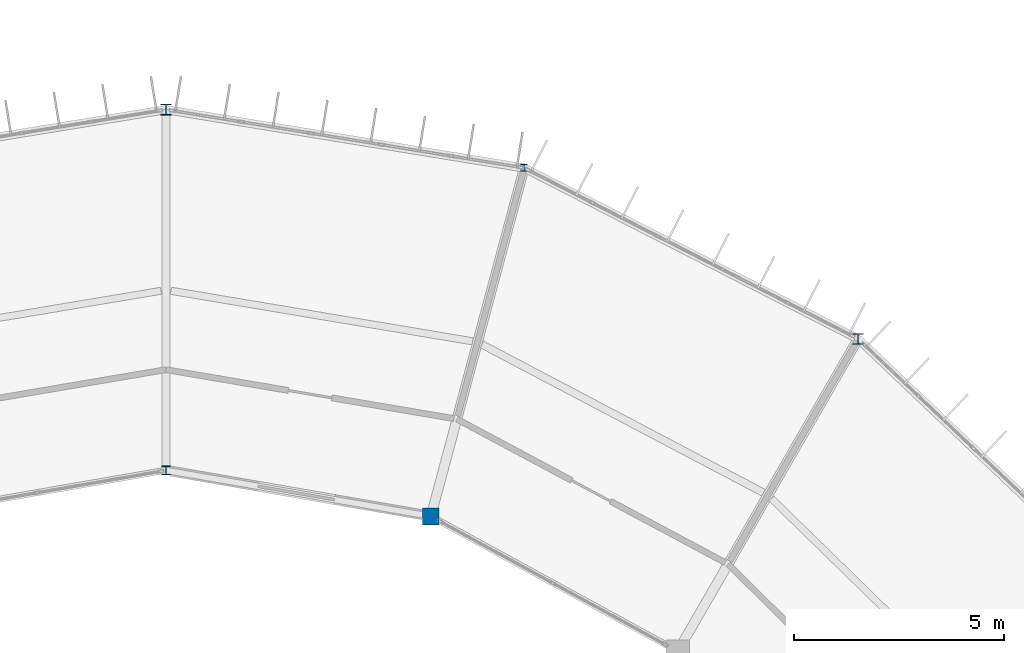
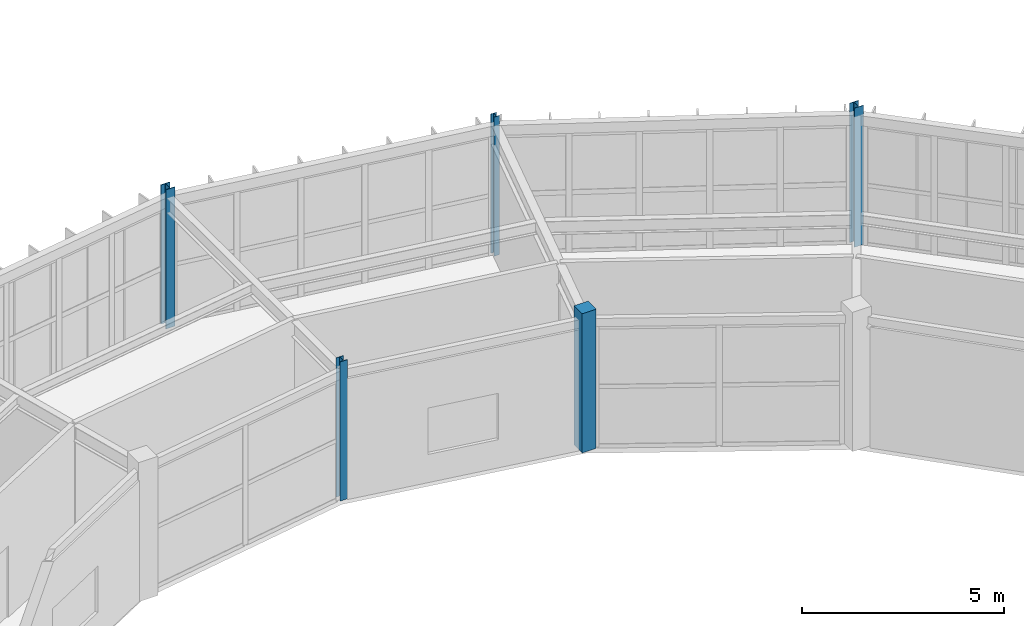
# One storey, part 18 of 157: 5 columns.
"""IFC4 building model written with IfcOpenShell, lengths in metres."""

from ifc_helpers import new_model, si_unit, direction, frame, origin, origin_2d, place, context, subcontext, project, spatial, rectangle, i_section, extrude, material, material_profile, profile_set, type_object, element, save


model = new_model("IFC4")

# Units and contexts
model_context = context("Model", 3, precision=1e-05, world=origin(), true_north=direction((0.0, 1.0)))
body_context = subcontext(model_context, "Body", "Model", "MODEL_VIEW")
ifc_project = project(units=[si_unit("LENGTHUNIT", "METRE"), si_unit("AREAUNIT", "SQUARE_METRE"), si_unit("VOLUMEUNIT", "CUBIC_METRE"), si_unit("PLANEANGLEUNIT", "RADIAN"), si_unit("MASSUNIT", "GRAM", prefix="KILO")], contexts=[model_context])

# Site, building, storey
site_placement = place(None, origin())
site = spatial("IfcSite", under=ifc_project, at=site_placement, CompositionType="ELEMENT")
building_placement = place(site_placement, origin())
building = spatial("IfcBuilding", under=site, at=building_placement, Name="Karori Crest Natural Sciences Institute", CompositionType="ELEMENT")
storey_placement = place(building_placement, frame((0.0, 0.0, 13.300048828125)))
storey = spatial("IfcBuildingStorey", under=building, at=storey_placement, Name="L03", CompositionType="ELEMENT", Elevation=13.300048828125)

# Columns
ifc_material_1 = material(Name="Structural steel AS/NZS 3679.1 Grade 350", Category="steel")
ifc_material_profile_1 = material_profile(ifc_material_1, i_section(OverallWidth=0.256103515625, OverallDepth=0.260009765625, WebThickness=0.010498046875, FlangeThickness=0.017333984375, FilletRadius=0.013916015625, at=origin_2d()), Name="250UC89.5")
ifc_profile_set_1 = profile_set([ifc_material_profile_1], Name="Structural steel AS/NZS 3679.1 Grade 350")
column_type_1 = type_object("IfcColumnType", Name="CT-06", PredefinedType="COLUMN", material=ifc_profile_set_1)
column_1_placement = place(storey_placement, frame((66.39990234375, 90.699951171875, 0.0), z_axis=(0.0, 0.0, 1.0), x_axis=(1.0, 0.0, 0.0)))
element("IfcColumn", 1, at=column_1_placement, inside=storey, type_object=column_type_1, Name="Column C-0117", PredefinedType="COLUMN", context=body_context, shape_type="SweptSolid", body=[
    extrude(i_section(OverallWidth=0.256103515625, OverallDepth=0.260009765625, WebThickness=0.010498046875, FlangeThickness=0.017333984375, FilletRadius=0.013916015625, at=origin_2d()), origin(), (0.0, 0.0, 1.0), 4.199951171875),
])
ifc_material_profile_2 = material_profile(ifc_material_1, i_section(OverallWidth=0.25390625, OverallDepth=0.25390625, WebThickness=0.008544921875, FlangeThickness=0.01416015625, FilletRadius=0.013916015625, at=origin_2d()), Name="250UC72.9")
ifc_profile_set_2 = profile_set([ifc_material_profile_2], Name="Structural steel AS/NZS 3679.1 Grade 350")
column_type_2 = type_object("IfcColumnType", Name="CT-07", PredefinedType="COLUMN", material=ifc_profile_set_2)
column_2_placement = place(storey_placement, frame((82.89990234375, 85.23388671875, 0.0), z_axis=(0.0, 0.0, 1.0), x_axis=(1.0, 0.0, 0.0)))
element("IfcColumn", 2, at=column_2_placement, inside=storey, type_object=column_type_2, Name="Column C-0081", PredefinedType="COLUMN", context=body_context, shape_type="SweptSolid", body=[
    extrude(i_section(OverallWidth=0.25390625, OverallDepth=0.25390625, WebThickness=0.008544921875, FlangeThickness=0.01416015625, FilletRadius=0.013916015625, at=origin_2d()), origin(), (0.0, 0.0, 1.0), 4.199951171875),
])
ifc_material_profile_3 = material_profile(ifc_material_1, i_section(OverallWidth=0.205078125, OverallDepth=0.2099609375, WebThickness=0.00927734375, FlangeThickness=0.01416015625, FilletRadius=0.010986328125, at=origin_2d()), Name="200UC59.5")
ifc_profile_set_3 = profile_set([ifc_material_profile_3], Name="Structural steel AS/NZS 3679.1 Grade 350")
column_type_3 = type_object("IfcColumnType", Name="CT-08", PredefinedType="COLUMN", material=ifc_profile_set_3)
column_3_placement = place(storey_placement, frame((66.39990234375, 82.10009765625, 0.0), z_axis=(0.0, 0.0, 1.0), x_axis=(1.0, 0.0, 0.0)))
element("IfcColumn", 3, at=column_3_placement, inside=storey, type_object=column_type_3, Name="Column C-0118", PredefinedType="COLUMN", context=body_context, shape_type="SweptSolid", body=[
    extrude(i_section(OverallWidth=0.205078125, OverallDepth=0.2099609375, WebThickness=0.00927734375, FlangeThickness=0.01416015625, FilletRadius=0.010986328125, at=origin_2d()), origin(), (0.0, 0.0, 1.0), 4.199951171875),
])
ifc_material_profile_4 = material_profile(ifc_material_1, i_section(OverallWidth=0.154052734375, OverallDepth=0.162109375, WebThickness=0.008056640625, FlangeThickness=0.011474609375, FilletRadius=0.009033203125, at=origin_2d()), Name="150UC37.2")
ifc_profile_set_4 = profile_set([ifc_material_profile_4], Name="Structural steel AS/NZS 3679.1 Grade 350")
column_type_4 = type_object("IfcColumnType", Name="CT-26", PredefinedType="COLUMN", material=ifc_profile_set_4)
column_4_placement = place(storey_placement, frame((74.94091796875, 89.309814453125, 0.0), z_axis=(0.0, 0.0, 1.0), x_axis=(1.0, 0.0, 0.0)))
element("IfcColumn", 4, at=column_4_placement, inside=storey, type_object=column_type_4, Name="Column C-0099", PredefinedType="COLUMN", context=body_context, shape_type="SweptSolid", body=[
    extrude(i_section(OverallWidth=0.154052734375, OverallDepth=0.162109375, WebThickness=0.008056640625, FlangeThickness=0.011474609375, FilletRadius=0.009033203125, at=origin_2d()), origin(), (0.0, 0.0, 1.0), 4.199951171875),
])
ifc_material_2 = material(Name="Concrete 50 MPa", Category="concrete")
ifc_material_profile_5 = material_profile(ifc_material_2, rectangle(XDim=0.39990234375, YDim=0.39990234375, at=origin_2d()), Name="RC400x400")
ifc_profile_set_5 = profile_set([ifc_material_profile_5], Name="Concrete 50 MPa")
column_type_5 = type_object("IfcColumnType", Name="CT-31", PredefinedType="PILASTER", material=ifc_profile_set_5)
column_5_placement = place(storey_placement, frame((72.715087890625, 81.002685546875, 0.0), z_axis=(0.0, 0.0, 1.0), x_axis=(1.0, 0.0, 0.0)))
element("IfcColumn", 5, at=column_5_placement, inside=storey, type_object=column_type_5, Name="Column C-0100", PredefinedType="PILASTER", context=body_context, shape_type="SweptSolid", body=[
    extrude(rectangle(XDim=0.39990234375, YDim=0.39990234375, at=origin_2d()), origin(), (0.0, 0.0, 1.0), 4.199951171875),
])

save(model, "model.ifc")
